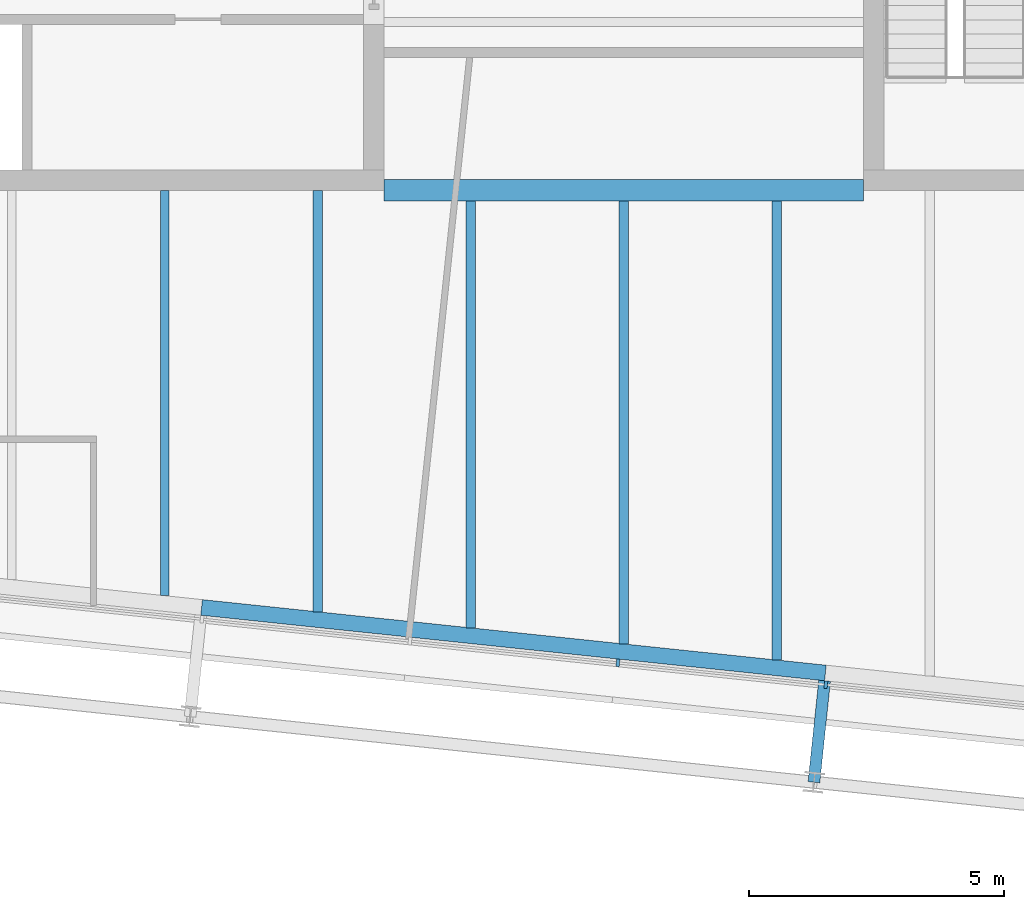
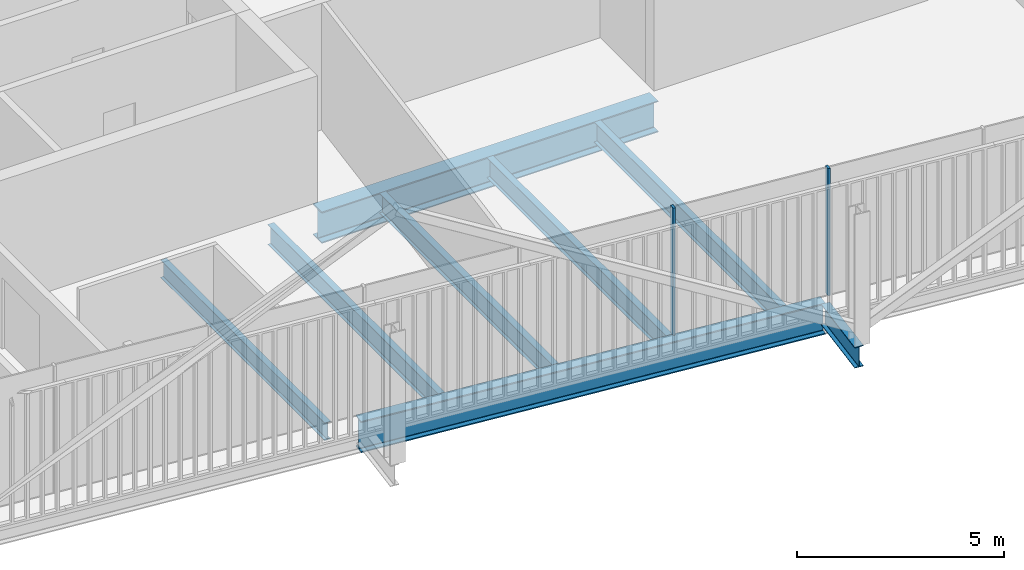
# One storey, part 5 of 21: 8 beams, 2 members, 1 element without a shape of its own.
"""IFC4 building model written with IfcOpenShell, lengths in metres."""

import ifcopenshell
import ifcopenshell.guid

model = None  # the IFC model being written
_history = None  # IfcOwnerHistory: only IFC2X3 demands one
_inside = {}  # id of a spatial element -> (the spatial element, [elements in it])
_under = {}  # id of a project, library or spatial element -> (it, [spatial elements below it])
_declared = {}  # id of a project -> (the project, [libraries it declares])
_typed = {}  # id of a type object -> (the type object, [elements of that type])
_made_of = {}  # id of a material, layer set ... -> (it, [elements and type objects made of it])


def new_model(schema):
    """Start an empty IFC model of exactly this schema.

    Asked for "IFC4X3", IfcOpenShell would pick the latest addendum, in which some entities
    have other attributes; the version numbers below select the first issue.
    IFC2X3 requires an IfcOwnerHistory on every rooted entity: one is made here for all.
    """
    global model, _history
    if schema == "IFC4X3":
        model = ifcopenshell.file(schema_version=(4, 3, 0, 0))
    else:
        model = ifcopenshell.file(schema=schema)
    _inside.clear()
    _under.clear()
    _declared.clear()
    _typed.clear()
    _made_of.clear()
    _history = None
    if model.schema == "IFC2X3":
        org = make("IfcOrganization", Name="unknown")
        user = make(
            "IfcPersonAndOrganization",
            ThePerson=make("IfcPerson", FamilyName="unknown"),
            TheOrganization=org,
        )
        app = make(
            "IfcApplication",
            ApplicationDeveloper=org,
            Version="unknown",
            ApplicationFullName="unknown",
            ApplicationIdentifier="unknown",
        )
        _history = make(
            "IfcOwnerHistory",
            OwningUser=user,
            OwningApplication=app,
            ChangeAction="ADDED",
            CreationDate=0,
        )
    return model


def make(cls, **values):
    """One entity of the class cls with the attributes given. An attribute that is None is left unset."""
    return model.create_entity(
        cls, **{name: value for name, value in values.items() if value is not None}
    )


def rooted(cls, **values):
    """An entity with a GlobalId (a new one), such as an element, a storey or a relation."""
    return make(cls, GlobalId=ifcopenshell.guid.new(), OwnerHistory=_history, **values)


def si_unit(unit_type, name, prefix=None):
    """IfcSIUnit, for example si_unit("LENGTHUNIT", "METRE", prefix="MILLI")."""
    return make("IfcSIUnit", UnitType=unit_type, Prefix=prefix, Name=name)


def assignment(units):
    """IfcUnitAssignment: the units of a project."""
    return None if units is None else make("IfcUnitAssignment", Units=units)


def point(xyz):
    """IfcCartesianPoint."""
    return None if xyz is None else make("IfcCartesianPoint", Coordinates=xyz)


def direction(xyz):
    """IfcDirection."""
    return None if xyz is None else make("IfcDirection", DirectionRatios=xyz)


def frame(location, z_axis=None, x_axis=None):
    """IfcAxis2Placement3D, a coordinate frame: its origin and axes. An axis left out is left unset."""
    return make(
        "IfcAxis2Placement3D",
        Location=point(location),
        Axis=direction(z_axis),
        RefDirection=direction(x_axis),
    )


def frame_2d(location, x_axis=None):
    """IfcAxis2Placement2D, a coordinate frame in the plane: its origin and x axis."""
    return make(
        "IfcAxis2Placement2D", Location=point(location), RefDirection=direction(x_axis)
    )


def origin():
    """The frame at (0, 0, 0) with its axes left unset."""
    return frame((0.0, 0.0, 0.0))


def origin_2d():
    """The frame at (0, 0) in the plane with its x axis left unset."""
    return frame_2d((0.0, 0.0))


def place(relative_to, where):
    """IfcLocalPlacement: puts the frame where relative to a parent placement (None: the world)."""
    return make(
        "IfcLocalPlacement", PlacementRelTo=relative_to, RelativePlacement=where
    )


def context(
    kind, dimensions, precision=None, world=None, true_north=None, identifier=None
):
    """IfcGeometricRepresentationContext, for example the 3D "Model" context."""
    return make(
        "IfcGeometricRepresentationContext",
        ContextIdentifier=identifier,
        ContextType=kind,
        CoordinateSpaceDimension=dimensions,
        Precision=precision,
        WorldCoordinateSystem=world,
        TrueNorth=true_north,
    )


def subcontext(parent, identifier, kind, view, scale=None):
    """IfcGeometricRepresentationSubContext, for example "Body" below "Model"."""
    return make(
        "IfcGeometricRepresentationSubContext",
        ContextIdentifier=identifier,
        ContextType=kind,
        ParentContext=parent,
        TargetScale=scale,
        TargetView=view,
    )


def project(units=None, contexts=None):
    """IfcProject with its units and contexts."""
    return rooted(
        "IfcProject",
        Name="project",
        RepresentationContexts=contexts,
        UnitsInContext=assignment(units),
    )


def spatial(cls, under=None, at=None, **own):
    """A site, building, storey or space (cls), placed at a placement, below another one or the project."""
    s = rooted(cls, ObjectPlacement=at, **own)
    if under is not None:
        _under.setdefault(under.id(), (under, []))[1].append(s)
    return s


def profile(cls, at=None, kind="AREA", **sizes):
    """A parametric profile (cls). Its sizes go by their IFC names, for example OverallWidth=200.0."""
    return make(cls, ProfileType=kind, Position=at, **sizes)


def rectangle(**sizes):
    """IfcRectangleProfileDef."""
    return profile("IfcRectangleProfileDef", **sizes)


def i_section(**sizes):
    """IfcIShapeProfileDef."""
    return profile("IfcIShapeProfileDef", **sizes)


def extrude(swept, where, along, depth):
    """IfcExtrudedAreaSolid: the profile swept, set in the frame where, extruded along a direction by depth."""
    return make(
        "IfcExtrudedAreaSolid",
        SweptArea=swept,
        Position=where,
        ExtrudedDirection=direction(along),
        Depth=depth,
    )


def shape(context_of_items, identifier, shape_type, items):
    """IfcShapeRepresentation: the items that make up one representation, for example the "Body"."""
    return make(
        "IfcShapeRepresentation",
        ContextOfItems=context_of_items,
        RepresentationIdentifier=identifier,
        RepresentationType=shape_type,
        Items=items,
    )


def material(Name=None, Category=None):
    """IfcMaterial."""
    return make("IfcMaterial", Name=Name, Category=Category)


def layer(
    of_material, thickness, ventilated=None, Name=None, Category=None, Priority=None
):
    """IfcMaterialLayer: one layer of a wall or slab, of a material (None: an air gap)."""
    return make(
        "IfcMaterialLayer",
        Material=of_material,
        LayerThickness=thickness,
        IsVentilated=ventilated,
        Name=Name,
        Category=Category,
        Priority=Priority,
    )


def layer_set(layers, Name=None):
    """IfcMaterialLayerSet."""
    return make("IfcMaterialLayerSet", MaterialLayers=layers, LayerSetName=Name)


def material_profile(
    of_material, cross_section, Name=None, Category=None, Priority=None
):
    """IfcMaterialProfile: a cross section and its material."""
    return make(
        "IfcMaterialProfile",
        Name=Name,
        Material=of_material,
        Profile=cross_section,
        Priority=Priority,
        Category=Category,
    )


def profile_set(profiles, Name=None, composite=None):
    """IfcMaterialProfileSet."""
    return make(
        "IfcMaterialProfileSet",
        Name=Name,
        MaterialProfiles=profiles,
        CompositeProfile=composite,
    )


def made_of(thing, what):
    """Note that an element or type object is made of a material, layer set ...; save() writes the relation."""
    if what is not None:
        _made_of.setdefault(what.id(), (what, []))[1].append(thing)
    return thing


def type_object(cls, material=None, **own):
    """A type object (cls), such as IfcWallType, which elements share."""
    return made_of(rooted(cls, **own), material)


def element(
    cls,
    number,
    at=None,
    inside=None,
    cuts=None,
    type_object=None,
    material=None,
    context=None,
    identifier="Body",
    shape_type=None,
    held_by="IfcProductDefinitionShape",
    body=None,
    shapes=None,
    **own,
):
    """One element of the class cls, such as IfcWall. Its Tag is "e" and its number.

    at: its placement. inside: the storey or other place that contains it. cuts: it is an
    opening in that element (IfcRelVoidsElement). A single representation is given by context,
    identifier, shape_type and body (its items); several are given by shapes. held_by: the class
    of the entity that holds the representations. save() writes the other relations.
    """
    e = rooted(cls, Tag="e%d" % number, ObjectPlacement=at, **own)
    if body is not None:
        shapes = [shape(context, identifier, shape_type, body)]
    if shapes is not None:
        e.Representation = make(held_by, Representations=shapes)
    if inside is not None:
        _inside.setdefault(inside.id(), (inside, []))[1].append(e)
    if cuts is not None:
        rooted(
            "IfcRelVoidsElement", RelatingBuildingElement=cuts, RelatedOpeningElement=e
        )
    if type_object is not None:
        _typed.setdefault(type_object.id(), (type_object, []))[1].append(e)
    return made_of(e, material)


def aggregate(whole, parts):
    """IfcRelAggregates: a whole, such as a stair, and the parts it consists of."""
    return rooted("IfcRelAggregates", RelatingObject=whole, RelatedObjects=parts)


def save(model, path):
    """Write the relations noted so far, then the file.

    IfcRelAggregates (storeys below a building ...), IfcRelContainedInSpatialStructure (elements
    in a storey), IfcRelDefinesByType, IfcRelAssociatesMaterial and IfcRelDeclares: one each for
    every whole, place, type object, material and project.
    """
    for whole, parts in _under.values():
        aggregate(whole, parts)
    for where, things in _inside.values():
        rooted(
            "IfcRelContainedInSpatialStructure",
            RelatedElements=things,
            RelatingStructure=where,
        )
    for kind, things in _typed.values():
        rooted("IfcRelDefinesByType", RelatedObjects=things, RelatingType=kind)
    for what, things in _made_of.values():
        rooted("IfcRelAssociatesMaterial", RelatedObjects=things, RelatingMaterial=what)
    for by, libraries in _declared.values():
        rooted("IfcRelDeclares", RelatingContext=by, RelatedDefinitions=libraries)
    model.write(path)


model = new_model("IFC4")

# Units and contexts
model_context = context("Model", 3, precision=1e-05, world=origin(), true_north=direction((0.0, 1.0)))
body_context = subcontext(model_context, "Body", "Model", "MODEL_VIEW")
ifc_project = project(units=[si_unit("LENGTHUNIT", "METRE"), si_unit("AREAUNIT", "SQUARE_METRE"), si_unit("VOLUMEUNIT", "CUBIC_METRE"), si_unit("PLANEANGLEUNIT", "RADIAN"), si_unit("MASSUNIT", "GRAM", prefix="KILO")], contexts=[model_context])

# Site, building, storey
site_placement = place(None, origin())
site = spatial("IfcSite", under=ifc_project, at=site_placement, CompositionType="ELEMENT")
building_placement = place(site_placement, origin())
building = spatial("IfcBuilding", under=site, at=building_placement, Name="Millrace Tower", CompositionType="ELEMENT")
storey_placement = place(building_placement, frame((0.0, 0.0, 283.800048828125)))
storey = spatial("IfcBuildingStorey", under=building, at=storey_placement, Name="L65", CompositionType="ELEMENT", Elevation=283.800048828125)

# Curtain wall, members
ifc_material_1 = material(Name="Aluminium and glass", Category="aluminium")
ifc_layer = layer(ifc_material_1, 0.14990234375)
ifc_layer_set = layer_set([ifc_layer], Name="Aluminium and glass")
curtain_wall_type = type_object("IfcCurtainWallType", Name="CW-1 office vision curtain wall", PredefinedType="NOTDEFINED", material=ifc_layer_set)
curtain_wall_placement = place(storey_placement, origin())
curtain_wall = element("IfcCurtainWall", 1, at=curtain_wall_placement, inside=storey, type_object=curtain_wall_type, Name="Curtain wall E-F02 L65", PredefinedType="NOTDEFINED")
ifc_material_2 = material(Name="Aluminium", Category="aluminium")
ifc_material_profile_1 = material_profile(ifc_material_2, rectangle(XDim=0.06494140625, YDim=0.14990234375, at=origin_2d()))
ifc_profile_set_1 = profile_set([ifc_material_profile_1], Name="Aluminium")
member_type = type_object("IfcMemberType", Name="CW-1 office vision curtain wall mullion", PredefinedType="MULLION", material=ifc_profile_set_1)
member_1_placement = place(storey_placement, frame((-0.11474609375, -18.567626953125, 0.139892578125), z_axis=(0.0, 0.0, 1.0), x_axis=(0.994521896217, -0.104528455196, 0.0)))
member_1 = element("IfcMember", 2, at=member_1_placement, type_object=member_type, Name="CW1 mullion E-F02.6", PredefinedType="MULLION", context=body_context, shape_type="SweptSolid", body=[
    extrude(rectangle(XDim=0.06494140625, YDim=0.14990234375, at=origin_2d()), origin(), (0.0, 0.0, 1.0), 3.760009765625),
])
member_2_placement = place(storey_placement, frame((3.962890625, -18.99609375, 0.139892578125), z_axis=(0.0, 0.0, 1.0), x_axis=(0.994521896217, -0.104528455196, 0.0)))
member_2 = element("IfcMember", 3, at=member_2_placement, type_object=member_type, Name="CW1 mullion E-F02.7", PredefinedType="MULLION", context=body_context, shape_type="SweptSolid", body=[
    extrude(rectangle(XDim=0.06494140625, YDim=0.14990234375, at=origin_2d()), origin(), (0.0, 0.0, 1.0), 3.760009765625),
])
aggregate(curtain_wall, [member_1, member_2])

# Beams
ifc_material_3 = material(Name="Steel ASTM A992 Grade 50", Category="steel")
ifc_material_profile_2 = material_profile(ifc_material_3, i_section(OverallWidth=0.1650390625, OverallDepth=0.52587890625, WebThickness=0.0087890625, FlangeThickness=0.011474609375, FilletRadius=0.0126953125, at=origin_2d()))
ifc_profile_set_2 = profile_set([ifc_material_profile_2], Name="Steel ASTM A992 Grade 50")
beam_type_1 = type_object("IfcBeamType", Name="Floor beam W21x44", PredefinedType="JOIST", material=ifc_profile_set_2)
beam_1_placement = place(storey_placement, frame((-9.0, -17.249267578125, -0.4228515625), z_axis=(0.0, 1.0, 0.0), x_axis=(-1.0, 0.0, 0.0)))
element("IfcBeam", 4, at=beam_1_placement, inside=storey, type_object=beam_type_1, Name="BM-E-L65-S1-S039", PredefinedType="JOIST", context=body_context, shape_type="SweptSolid", body=[
    extrude(i_section(OverallWidth=0.1650390625, OverallDepth=0.52587890625, WebThickness=0.0087890625, FlangeThickness=0.011474609375, FilletRadius=0.0126953125, at=origin_2d()), origin(), (0.0, 0.0, 1.0), 7.94921875),
])
ifc_material_4 = material(Name="Steel ASTM A992 Grade 50", Category="steel")
ifc_material_profile_3 = material_profile(ifc_material_4, i_section(OverallWidth=0.177978515625, OverallDepth=0.599365234375, WebThickness=0.010009765625, FlangeThickness=0.012939453125, FilletRadius=0.012939453125, at=origin_2d()))
ifc_profile_set_3 = profile_set([ifc_material_profile_3], Name="Steel ASTM A992 Grade 50")
beam_type_2 = type_object("IfcBeamType", Name="Floor beam W24x55", PredefinedType="JOIST", material=ifc_profile_set_3)
beam_2_placement = place(storey_placement, frame((-6.0, -17.564697265625, -0.459716796875), z_axis=(0.0, 1.0, 0.0), x_axis=(-1.0, 0.0, 0.0)))
element("IfcBeam", 5, at=beam_2_placement, inside=storey, type_object=beam_type_2, Name="BM-E-L65-S1-S041", PredefinedType="JOIST", context=body_context, shape_type="SweptSolid", body=[
    extrude(i_section(OverallWidth=0.177978515625, OverallDepth=0.599365234375, WebThickness=0.010009765625, FlangeThickness=0.012939453125, FilletRadius=0.012939453125, at=origin_2d()), origin(), (0.0, 0.0, 1.0), 8.2646484375),
])
beam_3_placement = place(storey_placement, frame((-3.0, -17.8798828125, -0.459716796875), z_axis=(0.0, 1.0, 0.0), x_axis=(-1.0, 0.0, 0.0)))
element("IfcBeam", 6, at=beam_3_placement, inside=storey, type_object=beam_type_2, Name="BM-E-L65-S1-S043", PredefinedType="JOIST", context=body_context, shape_type="SweptSolid", body=[
    extrude(i_section(OverallWidth=0.177978515625, OverallDepth=0.599365234375, WebThickness=0.010009765625, FlangeThickness=0.012939453125, FilletRadius=0.012939453125, at=origin_2d()), origin(), (0.0, 0.0, 1.0), 8.370361328125),
])
beam_4_placement = place(storey_placement, frame((0.0, -18.1953125, -0.459716796875), z_axis=(0.0, 1.0, 0.0), x_axis=(-1.0, 0.0, 0.0)))
element("IfcBeam", 7, at=beam_4_placement, inside=storey, type_object=beam_type_2, Name="BM-E-L65-S1-S045", PredefinedType="JOIST", context=body_context, shape_type="SweptSolid", body=[
    extrude(i_section(OverallWidth=0.177978515625, OverallDepth=0.599365234375, WebThickness=0.010009765625, FlangeThickness=0.012939453125, FilletRadius=0.012939453125, at=origin_2d()), origin(), (0.0, 0.0, 1.0), 8.685791015625),
])
beam_5_placement = place(storey_placement, frame((3.0, -18.510498046875, -0.459716796875), z_axis=(0.0, 1.0, 0.0), x_axis=(-1.0, 0.0, 0.0)))
element("IfcBeam", 8, at=beam_5_placement, inside=storey, type_object=beam_type_2, Name="BM-E-L65-S1-S047", PredefinedType="JOIST", context=body_context, shape_type="SweptSolid", body=[
    extrude(i_section(OverallWidth=0.177978515625, OverallDepth=0.599365234375, WebThickness=0.010009765625, FlangeThickness=0.012939453125, FilletRadius=0.012939453125, at=origin_2d()), origin(), (0.0, 0.0, 1.0), 9.0009765625),
])
ifc_material_5 = material(Name="Steel ASTM A992 Grade 50", Category="steel")
ifc_material_profile_4 = material_profile(ifc_material_5, i_section(OverallWidth=0.419189453125, OverallDepth=0.927001953125, WebThickness=0.019287109375, FlangeThickness=0.031982421875, FilletRadius=0.024169921875, at=origin_2d()))
ifc_profile_set_4 = profile_set([ifc_material_profile_4], Name="Steel ASTM A992 Grade 50")
beam_type_3 = type_object("IfcBeamType", Name="Girder short span W36x231", PredefinedType="BEAM", material=ifc_profile_set_4)
beam_6_placement = place(storey_placement, frame((-4.699951171875, -9.300048828125, -0.62353515625), z_axis=(1.0, 0.0, 0.0), x_axis=(0.0, 1.0, 0.0)))
element("IfcBeam", 9, at=beam_6_placement, inside=storey, type_object=beam_type_3, Name="BM-E-L65-S1-G059", PredefinedType="BEAM", context=body_context, shape_type="SweptSolid", body=[
    extrude(i_section(OverallWidth=0.419189453125, OverallDepth=0.927001953125, WebThickness=0.019287109375, FlangeThickness=0.031982421875, FilletRadius=0.024169921875, at=origin_2d()), origin(), (0.0, 0.0, 1.0), 9.39990234375),
])
ifc_material_6 = material(Name="Steel ASTM A992 Grade 50", Category="steel")
ifc_material_profile_5 = material_profile(ifc_material_6, i_section(OverallWidth=0.23046875, OverallDepth=0.6171875, WebThickness=0.01318359375, FlangeThickness=0.022216796875, FilletRadius=0.012939453125, at=origin_2d()))
ifc_profile_set_5 = profile_set([ifc_material_profile_5], Name="Steel ASTM A992 Grade 50")
beam_type_4 = type_object("IfcBeamType", Name="Link beam W24x94", PredefinedType="BEAM", material=ifc_profile_set_5)
beam_7_placement = place(storey_placement, frame((3.938232421875, -18.918212890625, -0.46875), z_axis=(-0.104494148666, -0.99452550138, 0.0), x_axis=(0.99452550138, -0.104494148666, 0.0)))
element("IfcBeam", 10, at=beam_7_placement, inside=storey, type_object=beam_type_4, Name="LNK-E-L65-S1-14", PredefinedType="BEAM", context=body_context, shape_type="SweptSolid", body=[
    extrude(i_section(OverallWidth=0.23046875, OverallDepth=0.6171875, WebThickness=0.01318359375, FlangeThickness=0.022216796875, FilletRadius=0.012939453125, at=origin_2d()), origin(), (0.0, 0.0, 1.0), 2.0),
])
ifc_material_7 = material(Name="Steel ASTM A992 Grade 50", Category="steel")
ifc_material_profile_6 = material_profile(ifc_material_7, i_section(OverallWidth=0.307373046875, OverallDepth=0.927001953125, WebThickness=0.01953125, FlangeThickness=0.031982421875, FilletRadius=0.01904296875, at=origin_2d()))
ifc_profile_set_6 = profile_set([ifc_material_profile_6], Name="Steel ASTM A992 Grade 50")
beam_type_5 = type_object("IfcBeamType", Name="Ring beam medium span W36x194", PredefinedType="SPANDREL", material=ifc_profile_set_6)
beam_8_placement = place(storey_placement, frame((3.954345703125, -18.765380859375, -0.62353515625), z_axis=(-0.994522406476, 0.104523600289, 0.0), x_axis=(-0.104523600289, -0.994522406476, 0.0)))
element("IfcBeam", 11, at=beam_8_placement, inside=storey, type_object=beam_type_5, Name="RNG-E-L65-S1-14", PredefinedType="SPANDREL", context=body_context, shape_type="SweptSolid", body=[
    extrude(i_section(OverallWidth=0.307373046875, OverallDepth=0.927001953125, WebThickness=0.01953125, FlangeThickness=0.031982421875, FilletRadius=0.01904296875, at=origin_2d()), origin(), (0.0, 0.0, 1.0), 12.300048828125),
])

save(model, "model.ifc")
